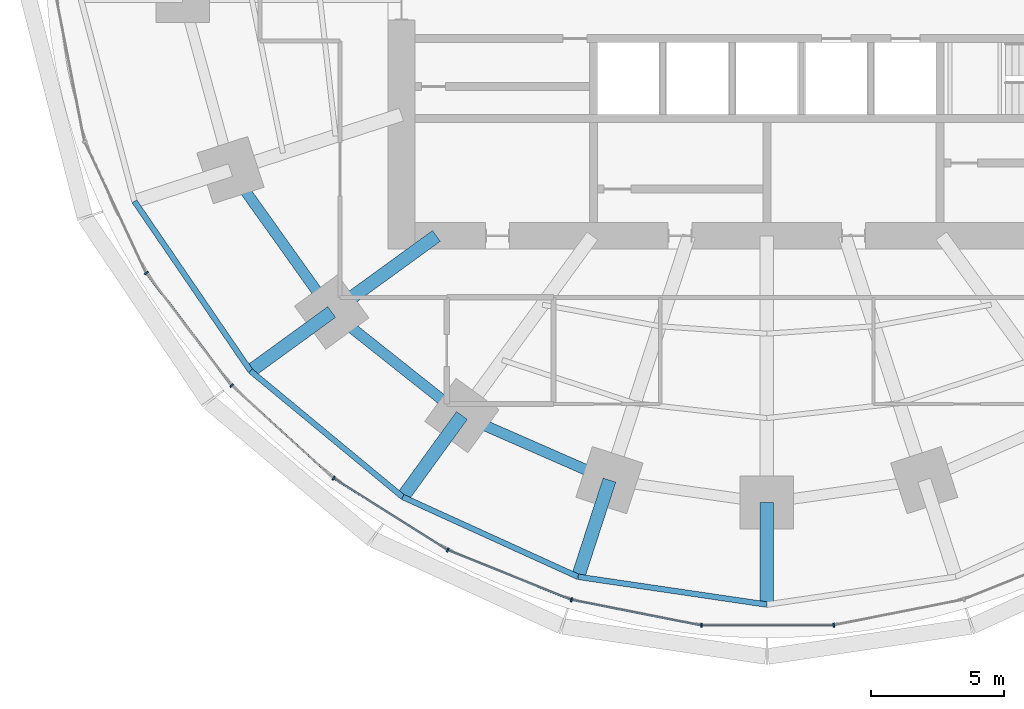
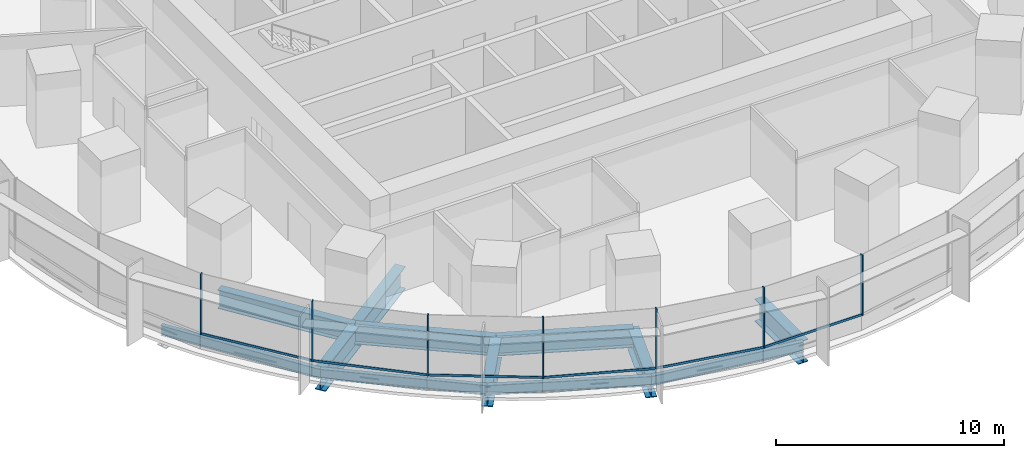
# One storey, part 2 of 15: 13 members, 12 beams, 2 elements without a shape of their own.
"""IFC4 building model written with IfcOpenShell, lengths in metres."""

from ifc_helpers import new_model, si_unit, direction, frame, origin, origin_2d, place, context, subcontext, project, spatial, rectangle, i_section, extrude, material, material_profile, profile_set, type_object, element, aggregate, save


model = new_model("IFC4")

# Units and contexts
model_context = context("Model", 3, precision=1e-05, world=origin(), true_north=direction((0.0, 1.0)))
body_context = subcontext(model_context, "Body", "Model", "MODEL_VIEW")
ifc_project = project(units=[si_unit("LENGTHUNIT", "METRE"), si_unit("AREAUNIT", "SQUARE_METRE"), si_unit("VOLUMEUNIT", "CUBIC_METRE"), si_unit("PLANEANGLEUNIT", "RADIAN"), si_unit("MASSUNIT", "GRAM", prefix="KILO")], contexts=[model_context])

# Site, building, storey
site_placement = place(None, origin())
site = spatial("IfcSite", under=ifc_project, at=site_placement, CompositionType="ELEMENT")
building_placement = place(site_placement, origin())
building = spatial("IfcBuilding", under=site, at=building_placement, Name="Marramba Exchange Tower", CompositionType="ELEMENT")
storey_placement = place(building_placement, frame((0.0, 0.0, 36.39990234375)))
storey = spatial("IfcBuildingStorey", under=building, at=storey_placement, Name="L08", CompositionType="ELEMENT", Elevation=36.39990234375)

# Beams
ifc_material_1 = material(Name="Steel AS/NZS 3679.2 grade 300", Category="steel")
ifc_material_profile_1 = material_profile(ifc_material_1, i_section(OverallWidth=0.5, OverallDepth=1.199951171875, WebThickness=0.01611328125, FlangeThickness=0.0400390625, at=origin_2d()), Name="1200WB455")
ifc_profile_set_1 = profile_set([ifc_material_profile_1], Name="Steel AS/NZS 3679.2 grade 300")
beam_type_1 = type_object("IfcBeamType", Name="Cantilever girder 1200WB455", PredefinedType="BEAM", material=ifc_profile_set_1)
beam_1_placement = place(storey_placement, frame((-16.3154296875, -11.853759765625, -0.760009765625), z_axis=(-0.809008346081, -0.587797155463, 0.0), x_axis=(0.587797155463, -0.809008346081, 0.0)))
element("IfcBeam", 1, at=beam_1_placement, inside=storey, type_object=beam_type_1, Name="Cantilever girder L08 TC13", PredefinedType="BEAM", context=body_context, shape_type="SweptSolid", body=[
    extrude(i_section(OverallWidth=0.5, OverallDepth=1.199951171875, WebThickness=0.01611328125, FlangeThickness=0.0400390625, at=origin_2d()), origin(), (0.0, 0.0, 1.0), 3.76025390625),
])
beam_2_placement = place(storey_placement, frame((-11.430419921875, -15.732666015625, -0.760009765625), z_axis=(-0.587787232741, -0.809015555491, 0.0), x_axis=(0.809015555491, -0.587787232741, 0.0)))
element("IfcBeam", 2, at=beam_2_placement, inside=storey, type_object=beam_type_1, Name="Cantilever girder L08 TC14", PredefinedType="BEAM", context=body_context, shape_type="SweptSolid", body=[
    extrude(i_section(OverallWidth=0.5, OverallDepth=1.199951171875, WebThickness=0.01611328125, FlangeThickness=0.0400390625, at=origin_2d()), origin(), (0.0, 0.0, 1.0), 3.7763671875),
])
beam_3_placement = place(storey_placement, frame((-5.899658203125, -18.156982421875, -0.760009765625), z_axis=(-0.309009272901, -0.951059025119, 0.0), x_axis=(0.951059025119, -0.309009272901, 0.0)))
element("IfcBeam", 3, at=beam_3_placement, inside=storey, type_object=beam_type_1, Name="Cantilever girder L08 TC15", PredefinedType="BEAM", context=body_context, shape_type="SweptSolid", body=[
    extrude(i_section(OverallWidth=0.5, OverallDepth=1.199951171875, WebThickness=0.01611328125, FlangeThickness=0.0400390625, at=origin_2d()), origin(), (0.0, 0.0, 1.0), 3.809814453125),
])
beam_4_placement = place(storey_placement, frame((0.0, -18.99609375, -0.760009765625), z_axis=(0.0, -1.0, 0.0), x_axis=(1.0, 0.0, 0.0)))
element("IfcBeam", 4, at=beam_4_placement, inside=storey, type_object=beam_type_1, Name="Cantilever girder L08 TC16", PredefinedType="BEAM", context=body_context, shape_type="SweptSolid", body=[
    extrude(i_section(OverallWidth=0.5, OverallDepth=1.199951171875, WebThickness=0.01611328125, FlangeThickness=0.0400390625, at=origin_2d()), origin(), (0.0, 0.0, 1.0), 3.825927734375),
])
ifc_material_profile_2 = material_profile(ifc_material_1, i_section(OverallWidth=0.5, OverallDepth=1.199951171875, WebThickness=0.01611328125, FlangeThickness=0.0400390625, at=origin_2d()), Name="1200WB455")
ifc_profile_set_2 = profile_set([ifc_material_profile_2], Name="Steel AS/NZS 3679.2 grade 300")
beam_type_2 = type_object("IfcBeamType", Name="Radial girder 1200WB455", PredefinedType="BEAM", material=ifc_profile_set_2)
beam_5_placement = place(storey_placement, frame((-12.387451171875, -9.0, -0.760009765625), z_axis=(-0.809025189606, -0.58777397236, 0.0), x_axis=(0.58777397236, -0.809025189606, 0.0)))
element("IfcBeam", 5, at=beam_5_placement, inside=storey, type_object=beam_type_2, Name="Radial girder L08 TC13", PredefinedType="BEAM", context=body_context, shape_type="SweptSolid", body=[
    extrude(i_section(OverallWidth=0.5, OverallDepth=1.199951171875, WebThickness=0.01611328125, FlangeThickness=0.0400390625, at=origin_2d()), origin(), (0.0, 0.0, 1.0), 4.855224609375),
])
ifc_material_profile_3 = material_profile(ifc_material_1, i_section(OverallWidth=0.39990234375, OverallDepth=1.0, WebThickness=0.01611328125, FlangeThickness=0.031982421875, at=origin_2d()), Name="1000WB322")
ifc_profile_set_3 = profile_set([ifc_material_profile_3], Name="Steel AS/NZS 3679.2 grade 300")
beam_type_3 = type_object("IfcBeamType", Name="Ring beam 1000WB322", PredefinedType="SPANDREL", material=ifc_profile_set_3)
beam_6_placement = place(storey_placement, frame((-20.109375, -6.533935546875, -0.659912109375), z_axis=(0.580637181111, -0.814162430914, 0.0), x_axis=(0.814162430914, 0.580637181111, 0.0)))
element("IfcBeam", 6, at=beam_6_placement, inside=storey, type_object=beam_type_3, Name="Ring beam L08 TC12-TC13", PredefinedType="SPANDREL", context=body_context, shape_type="SweptSolid", body=[
    extrude(i_section(OverallWidth=0.39990234375, OverallDepth=1.0, WebThickness=0.01611328125, FlangeThickness=0.031982421875, at=origin_2d()), origin(), (0.0, 0.0, 1.0), 6.5341796875),
])
beam_7_placement = place(storey_placement, frame((-16.3154296875, -11.853759765625, -0.659912109375), z_axis=(0.783139438128, -0.621846138887, 0.0), x_axis=(0.621846138887, 0.783139438128, 0.0)))
element("IfcBeam", 7, at=beam_7_placement, inside=storey, type_object=beam_type_3, Name="Ring beam L08 TC13-TC14", PredefinedType="SPANDREL", context=body_context, shape_type="SweptSolid", body=[
    extrude(i_section(OverallWidth=0.39990234375, OverallDepth=1.0, WebThickness=0.01611328125, FlangeThickness=0.031982421875, at=origin_2d()), origin(), (0.0, 0.0, 1.0), 6.23779296875),
])
beam_8_placement = place(storey_placement, frame((-11.430419921875, -15.732666015625, -0.659912109375), z_axis=(0.915876892158, -0.4014592363, 0.0), x_axis=(0.4014592363, 0.915876892158, 0.0)))
element("IfcBeam", 8, at=beam_8_placement, inside=storey, type_object=beam_type_3, Name="Ring beam L08 TC14-TC15", PredefinedType="SPANDREL", context=body_context, shape_type="SweptSolid", body=[
    extrude(i_section(OverallWidth=0.39990234375, OverallDepth=1.0, WebThickness=0.01611328125, FlangeThickness=0.031982421875, at=origin_2d()), origin(), (0.0, 0.0, 1.0), 6.038818359375),
])
ifc_material_2 = material(Name="Steel AS/NZS 3679.1 grade 300", Category="steel")
ifc_material_profile_4 = material_profile(ifc_material_2, i_section(OverallWidth=0.208984375, OverallDepth=0.528076171875, WebThickness=0.009521484375, FlangeThickness=0.01318359375, FilletRadius=0.013916015625, at=origin_2d()), Name="530UB82.0")
ifc_profile_set_4 = profile_set([ifc_material_profile_4], Name="Steel AS/NZS 3679.1 grade 300")
beam_type_4 = type_object("IfcBeamType", Name="Slab edge beam 530UB82.0", PredefinedType="SPANDREL", material=ifc_profile_set_4)
beam_9_placement = place(storey_placement, frame((-23.709716796875, -7.703857421875, -0.423828125), z_axis=(0.564740697285, -0.82526840775, 0.0), x_axis=(0.82526840775, 0.564740697285, 0.0)))
element("IfcBeam", 9, at=beam_9_placement, inside=storey, type_object=beam_type_4, Name="Slab edge beam L08 TC12-TC13", PredefinedType="SPANDREL", context=body_context, shape_type="SweptSolid", body=[
    extrude(i_section(OverallWidth=0.208984375, OverallDepth=0.528076171875, WebThickness=0.009521484375, FlangeThickness=0.01318359375, FilletRadius=0.013916015625, at=origin_2d()), origin(), (0.0, 0.0, 1.0), 7.706787109375),
])
beam_10_placement = place(storey_placement, frame((-19.357421875, -14.06396484375, -0.423828125), z_axis=(0.770353575372, -0.637616945283, 0.0), x_axis=(0.637616945283, 0.770353575372, 0.0)))
element("IfcBeam", 10, at=beam_10_placement, inside=storey, type_object=beam_type_4, Name="Slab edge beam L08 TC13-TC14", PredefinedType="SPANDREL", context=body_context, shape_type="SweptSolid", body=[
    extrude(i_section(OverallWidth=0.208984375, OverallDepth=0.528076171875, WebThickness=0.009521484375, FlangeThickness=0.01318359375, FilletRadius=0.013916015625, at=origin_2d()), origin(), (0.0, 0.0, 1.0), 7.40869140625),
])
beam_11_placement = place(storey_placement, frame((-13.650146484375, -18.787841796875, -0.423828125), z_axis=(0.910126690081, -0.414330071324, 0.0), x_axis=(0.414330071324, 0.910126690081, 0.0)))
element("IfcBeam", 11, at=beam_11_placement, inside=storey, type_object=beam_type_4, Name="Slab edge beam L08 TC14-TC15", PredefinedType="SPANDREL", context=body_context, shape_type="SweptSolid", body=[
    extrude(i_section(OverallWidth=0.208984375, OverallDepth=0.528076171875, WebThickness=0.009521484375, FlangeThickness=0.01318359375, FilletRadius=0.013916015625, at=origin_2d()), origin(), (0.0, 0.0, 1.0), 7.222412109375),
])
beam_12_placement = place(storey_placement, frame((-7.076904296875, -21.7802734375, -0.423828125), z_axis=(0.989338462178, -0.145634498848, 0.0), x_axis=(0.145634498848, 0.989338462178, 0.0)))
element("IfcBeam", 12, at=beam_12_placement, inside=storey, type_object=beam_type_4, Name="Slab edge beam L08 TC15-TC16", PredefinedType="SPANDREL", context=body_context, shape_type="SweptSolid", body=[
    extrude(i_section(OverallWidth=0.208984375, OverallDepth=0.528076171875, WebThickness=0.009521484375, FlangeThickness=0.01318359375, FilletRadius=0.013916015625, at=origin_2d()), origin(), (0.0, 0.0, 1.0), 7.153076171875),
])

# Curtain wall, members
ifc_material_3 = material(Name="Aluminium framing, bronze anodised", Category="aluminium")
curtain_wall_type = type_object("IfcCurtainWallType", Name="Trading floor ribbon curtain wall", PredefinedType="USERDEFINED", material=ifc_material_3)
curtain_wall_1_placement = place(storey_placement, origin())
curtain_wall_1 = element("IfcCurtainWall", 13, at=curtain_wall_1_placement, inside=storey, type_object=curtain_wall_type, Name="Curtain wall CW3 L08 F16-F20", ObjectType="RIBBON CURTAIN WALL", PredefinedType="USERDEFINED")
ifc_material_4 = material(Name="Aluminium mullion, bronze anodised", Category="aluminium")
ifc_material_profile_5 = material_profile(ifc_material_4, rectangle(XDim=0.159912109375, YDim=0.06005859375, at=origin_2d()), Name="CW3 mullion 60x160")
ifc_profile_set_5 = profile_set([ifc_material_profile_5], Name="Aluminium mullion, bronze anodised")
member_type_1 = type_object("IfcMemberType", Name="Trading floor ribbon curtain wall mullion", PredefinedType="MULLION", material=ifc_profile_set_5)
member_1_placement = place(storey_placement, frame((-23.26318359375, -10.389404296875, 0.800048828125), z_axis=(0.0, 0.0, 1.0), x_axis=(0.797710591138, 0.603040473588, 0.0)))
member_1 = element("IfcMember", 14, at=member_1_placement, type_object=member_type_1, Name="CW3 mullion 1", PredefinedType="MULLION", context=body_context, shape_type="SweptSolid", body=[
    extrude(rectangle(XDim=0.159912109375, YDim=0.06005859375, at=origin_2d()), origin(), (0.0, 0.0, 1.0), 3.239990234375),
])
member_2_placement = place(storey_placement, frame((-20.063232421875, -14.61328125, 0.800048828125), z_axis=(0.0, 0.0, 1.0), x_axis=(0.673058133441, 0.739589581463, 0.0)))
member_2 = element("IfcMember", 15, at=member_2_placement, type_object=member_type_1, Name="CW3 mullion 1", PredefinedType="MULLION", context=body_context, shape_type="SweptSolid", body=[
    extrude(rectangle(XDim=0.159912109375, YDim=0.06005859375, at=origin_2d()), origin(), (0.0, 0.0, 1.0), 3.239990234375),
])
member_3_placement = place(storey_placement, frame((-16.242431640625, -18.083251953125, 0.800048828125), z_axis=(0.0, 0.0, 1.0), x_axis=(0.533514646612, 0.845790826298, 0.0)))
member_3 = element("IfcMember", 16, at=member_3_placement, type_object=member_type_1, Name="CW3 mullion 1", PredefinedType="MULLION", context=body_context, shape_type="SweptSolid", body=[
    extrude(rectangle(XDim=0.159912109375, YDim=0.06005859375, at=origin_2d()), origin(), (0.0, 0.0, 1.0), 3.239990234375),
])

curtain_wall_2_placement = place(storey_placement, origin())
curtain_wall_2 = element("IfcCurtainWall", 17, at=curtain_wall_2_placement, inside=storey, type_object=curtain_wall_type, Name="Curtain wall CW3 L08 F21-F25", ObjectType="RIBBON CURTAIN WALL", PredefinedType="USERDEFINED")
member_4_placement = place(storey_placement, frame((-11.96142578125, -20.77734375, 0.800048828125), z_axis=(0.0, 0.0, 1.0), x_axis=(0.374218219325, 0.927340673283, 0.0)))
member_4 = element("IfcMember", 18, at=member_4_placement, type_object=member_type_1, Name="CW3 mullion 1", PredefinedType="MULLION", context=body_context, shape_type="SweptSolid", body=[
    extrude(rectangle(XDim=0.159912109375, YDim=0.06005859375, at=origin_2d()), origin(), (0.0, 0.0, 1.0), 3.239990234375),
])
member_5_placement = place(storey_placement, frame((-7.325439453125, -22.64208984375, 0.800048828125), z_axis=(0.0, 0.0, 1.0), x_axis=(0.193961202977, 0.98100920064, 0.0)))
member_5 = element("IfcMember", 19, at=member_5_placement, type_object=member_type_1, Name="CW3 mullion 1", PredefinedType="MULLION", context=body_context, shape_type="SweptSolid", body=[
    extrude(rectangle(XDim=0.159912109375, YDim=0.06005859375, at=origin_2d()), origin(), (0.0, 0.0, 1.0), 3.239990234375),
])
member_6_placement = place(storey_placement, frame((-2.450439453125, -23.599853515625, 0.800048828125), z_axis=(0.0, 0.0, 1.0), x_axis=(0.0, 1.0, 0.0)))
member_6 = element("IfcMember", 20, at=member_6_placement, type_object=member_type_1, Name="CW3 mullion 1", PredefinedType="MULLION", context=body_context, shape_type="SweptSolid", body=[
    extrude(rectangle(XDim=0.159912109375, YDim=0.06005859375, at=origin_2d()), origin(), (0.0, 0.0, 1.0), 3.239990234375),
])
member_7_placement = place(storey_placement, frame((2.509765625, -23.59423828125, 0.800048828125), z_axis=(0.0, 0.0, 1.0), x_axis=(-0.193961202977, 0.98100920064, 0.0)))
member_7 = element("IfcMember", 21, at=member_7_placement, type_object=member_type_1, Name="CW3 mullion 1", PredefinedType="MULLION", context=body_context, shape_type="SweptSolid", body=[
    extrude(rectangle(XDim=0.159912109375, YDim=0.06005859375, at=origin_2d()), origin(), (0.0, 0.0, 1.0), 3.239990234375),
])

# Member
ifc_material_5 = material(Name="Aluminium transom, bronze anodised", Category="aluminium")
ifc_material_profile_6 = material_profile(ifc_material_5, rectangle(XDim=0.06005859375, YDim=0.1201171875, at=origin_2d()), Name="CW3 transom 60x120")
ifc_profile_set_6 = profile_set([ifc_material_profile_6], Name="Aluminium transom, bronze anodised")
member_type_2 = type_object("IfcMemberType", Name="Trading floor ribbon curtain wall transom", PredefinedType="USERDEFINED", material=ifc_profile_set_6)
member_8_placement = place(storey_placement, frame((-23.2451171875, -10.413330078125, 0.830078125), z_axis=(0.603037409419, -0.797712907531, 0.0), x_axis=(0.797712907531, 0.603037409419, 0.0)))
member_8 = element("IfcMember", 22, at=member_8_placement, type_object=member_type_2, Name="CW3 sill transom", ObjectType="TRANSOM", PredefinedType="USERDEFINED", context=body_context, shape_type="SweptSolid", body=[
    extrude(rectangle(XDim=0.06005859375, YDim=0.1201171875, at=origin_2d()), origin(), (0.0, 0.0, 1.0), 5.239501953125),
])

member_9_placement = place(storey_placement, frame((-20.041015625, -14.63330078125, 0.830078125), z_axis=(0.739582688456, -0.673065707741, 0.0), x_axis=(0.673065707741, 0.739582688456, 0.0)))
member_9 = element("IfcMember", 23, at=member_9_placement, type_object=member_type_2, Name="CW3 sill transom", ObjectType="TRANSOM", PredefinedType="USERDEFINED", context=body_context, shape_type="SweptSolid", body=[
    extrude(rectangle(XDim=0.06005859375, YDim=0.1201171875, at=origin_2d()), origin(), (0.0, 0.0, 1.0), 5.101806640625),
])

member_10_placement = place(storey_placement, frame((-16.217041015625, -18.09912109375, 0.830078125), z_axis=(0.845776602594, -0.533537195053, 0.0), x_axis=(0.533537195053, 0.845776602594, 0.0)))
member_10 = element("IfcMember", 24, at=member_10_placement, type_object=member_type_2, Name="CW3 sill transom", ObjectType="TRANSOM", PredefinedType="USERDEFINED", context=body_context, shape_type="SweptSolid", body=[
    extrude(rectangle(XDim=0.06005859375, YDim=0.1201171875, at=origin_2d()), origin(), (0.0, 0.0, 1.0), 4.998779296875),
])

aggregate(curtain_wall_1, [member_1, member_8, member_2, member_9, member_3, member_10])

member_11_placement = place(storey_placement, frame((-11.93359375, -20.78857421875, 0.830078125), z_axis=(0.927340197166, -0.374219399176, 0.0), x_axis=(0.374219399176, 0.927340197166, 0.0)))
member_11 = element("IfcMember", 25, at=member_11_placement, type_object=member_type_2, Name="CW3 sill transom", ObjectType="TRANSOM", PredefinedType="USERDEFINED", context=body_context, shape_type="SweptSolid", body=[
    extrude(rectangle(XDim=0.06005859375, YDim=0.1201171875, at=origin_2d()), origin(), (0.0, 0.0, 1.0), 4.937255859375),
])

member_12_placement = place(storey_placement, frame((-7.296142578125, -22.64794921875, 0.830078125), z_axis=(0.981018169547, -0.193915834883, 0.0), x_axis=(0.193915834883, 0.981018169547, 0.0)))
member_12 = element("IfcMember", 26, at=member_12_placement, type_object=member_type_2, Name="CW3 sill transom", ObjectType="TRANSOM", PredefinedType="USERDEFINED", context=body_context, shape_type="SweptSolid", body=[
    extrude(rectangle(XDim=0.06005859375, YDim=0.1201171875, at=origin_2d()), origin(), (0.0, 0.0, 1.0), 4.908935546875),
])

member_13_placement = place(storey_placement, frame((-2.42041015625, -23.599853515625, 0.830078125), z_axis=(1.0, 0.0, 0.0), x_axis=(0.0, 1.0, 0.0)))
member_13 = element("IfcMember", 27, at=member_13_placement, type_object=member_type_2, Name="CW3 sill transom", ObjectType="TRANSOM", PredefinedType="USERDEFINED", context=body_context, shape_type="SweptSolid", body=[
    extrude(rectangle(XDim=0.06005859375, YDim=0.1201171875, at=origin_2d()), origin(), (0.0, 0.0, 1.0), 4.90087890625),
])

aggregate(curtain_wall_2, [member_4, member_11, member_5, member_12, member_6, member_13, member_7])

save(model, "model.ifc")
